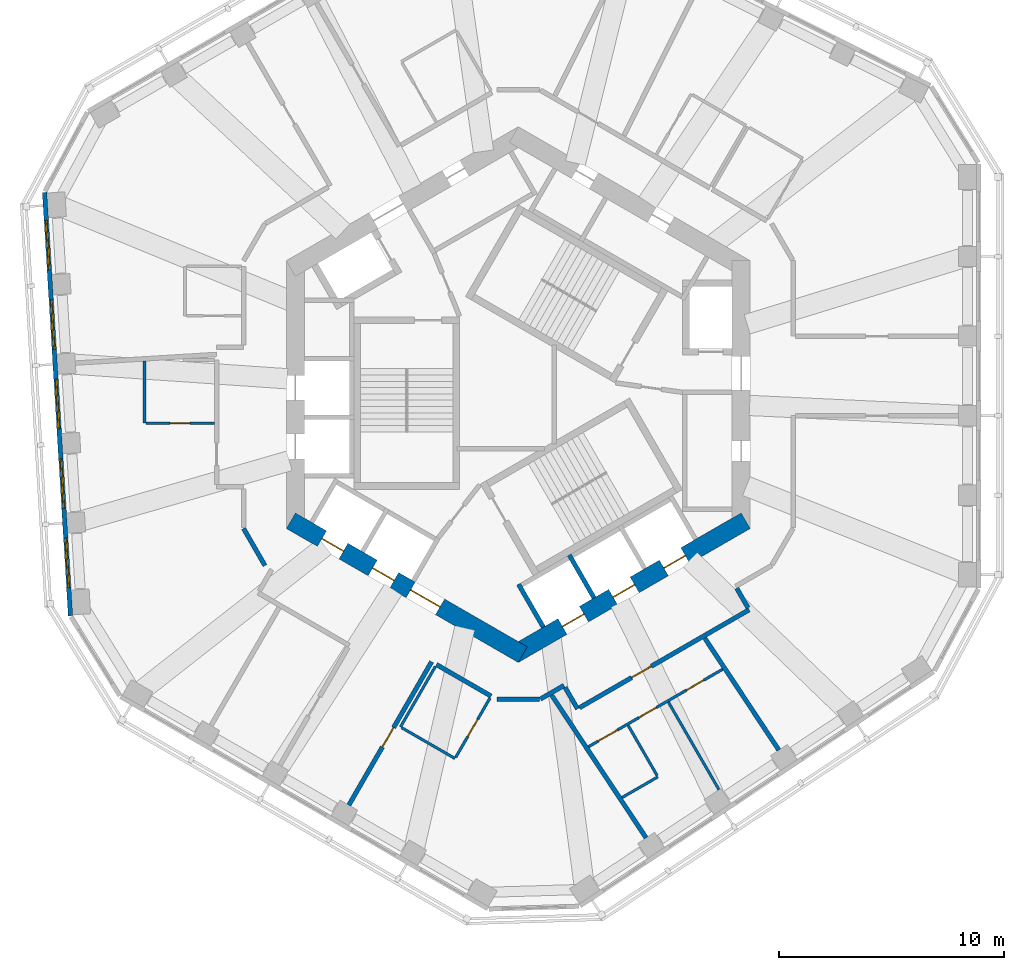
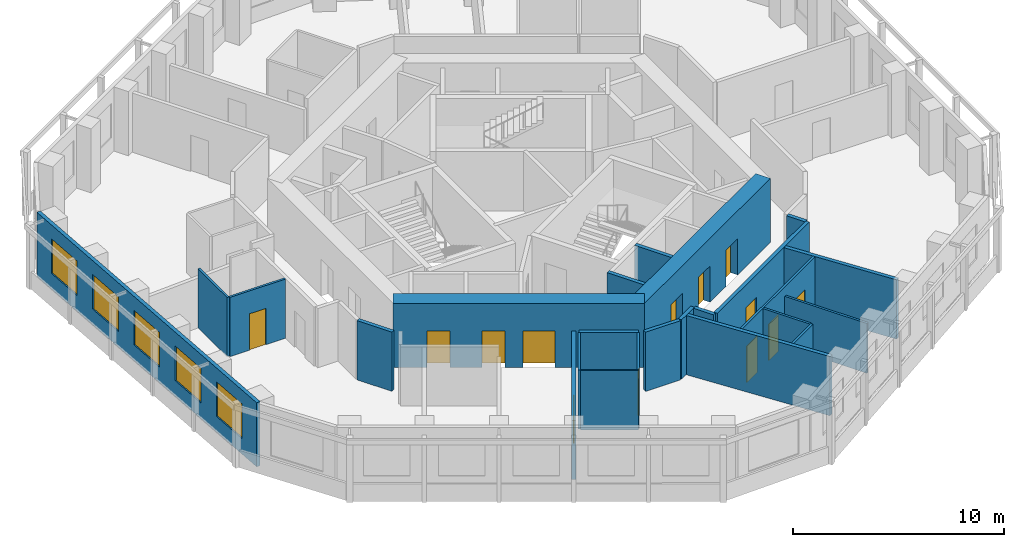
# One storey, part 4 of 11: 24 walls, 13 doors, 5 windows, 18 openings.
"""IFC4 building model written with IfcOpenShell, lengths in metres."""

from ifc_helpers import new_model, si_unit, direction, frame, frame_2d, origin, place, context, subcontext, project, spatial, rectangle, extrude, material, layer, layer_set, type_object, element, fill, save


model = new_model("IFC4")

# Units and contexts
model_context = context("Model", 3, precision=1e-05, world=origin(), true_north=direction((0.0, 1.0)))
body_context = subcontext(model_context, "Body", "Model", "MODEL_VIEW")
ifc_project = project(units=[si_unit("LENGTHUNIT", "METRE"), si_unit("AREAUNIT", "SQUARE_METRE"), si_unit("VOLUMEUNIT", "CUBIC_METRE"), si_unit("PLANEANGLEUNIT", "RADIAN"), si_unit("MASSUNIT", "GRAM", prefix="KILO")], contexts=[model_context])

# Site, building, storey
site_placement = place(None, origin())
site = spatial("IfcSite", under=ifc_project, at=site_placement, CompositionType="ELEMENT")
building_placement = place(site_placement, origin())
building = spatial("IfcBuilding", under=site, at=building_placement, Name="Vanh Sen Convention Tower", CompositionType="ELEMENT")
storey_placement = place(building_placement, frame((0.0, 0.0, 229.10009765625)))
storey = spatial("IfcBuildingStorey", under=building, at=storey_placement, Name="L56", CompositionType="ELEMENT", Elevation=229.10009765625)

# Wall
ifc_material_1 = material(Name="Moisture-resistant gypsum board on steel studs", Category="steel")
ifc_layer_1 = layer(ifc_material_1, 0.1201171875)
ifc_layer_set_1 = layer_set([ifc_layer_1], Name="Moisture-resistant gypsum board on steel studs")
wall_type_1 = type_object("IfcWallType", Name="Bathroom partition 120", PredefinedType="PARTITIONING", material=ifc_layer_set_1)
wall_1_placement = place(storey_placement, frame((-16.60107421875, -1.2666015625, 0.0), z_axis=(0.0, 0.0, 1.0), x_axis=(0.0, 1.0, 0.0)))
element("IfcWall", 1, at=wall_1_placement, inside=storey, type_object=wall_type_1, Name="Bathroom partition 120", PredefinedType="PARTITIONING", context=body_context, shape_type="SweptSolid", body=[
    extrude(rectangle(XDim=2.75, YDim=0.1201171875, at=frame_2d((1.375, 0.0))), origin(), (0.0, 0.0, 1.0), 3.419921875),
])

# Wall, opening, door
wall_2_placement = place(storey_placement, frame((-13.5009765625, -1.2666015625, 0.0), z_axis=(0.0, 0.0, 1.0), x_axis=(-1.0, 0.0, 0.0)))
wall_2 = element("IfcWall", 2, at=wall_2_placement, inside=storey, type_object=wall_type_1, Name="Bathroom partition 120", PredefinedType="PARTITIONING", context=body_context, shape_type="SweptSolid", body=[
    extrude(rectangle(XDim=3.0400390625, YDim=0.1201171875, at=frame_2d((1.52001953125, 0.0))), origin(), (0.0, 0.0, 1.0), 3.419921875),
])
opening_1_placement = place(wall_2_placement, frame((1.070068359375, 0.0, 0.0)))
opening_1 = element("IfcOpeningElement", 3, at=opening_1_placement, cuts=wall_2, Name="Opening D56110", PredefinedType="OPENING", context=body_context, shape_type="SweptSolid", body=[
    extrude(rectangle(XDim=0.89990234375, YDim=2.10009765625, at=frame_2d((0.449951171875, 1.050048828125))), frame((0.0, 0.070068359375, 0.0), z_axis=(0.0, -1.0, 0.0), x_axis=(1.0, 0.0, 0.0)), (0.0, 0.0, 1.0), 0.14013671875),
])
ifc_material_2 = material(Name="Laminate door in steel frame", Category="steel")
door_type_1 = type_object("IfcDoorType", Name="Room internal door 900", OperationType="SINGLE_SWING_LEFT", PredefinedType="DOOR", material=ifc_material_2)
door_1_placement = place(opening_1_placement, origin())
door_1 = element("IfcDoor", 4, at=door_1_placement, inside=storey, type_object=door_type_1, Name="Internal room door D56110", OperationType="SINGLE_SWING_LEFT", OverallHeight=2.10009765625, OverallWidth=0.89990234375, PredefinedType="DOOR", context=body_context, shape_type="SweptSolid", body=[
    extrude(rectangle(XDim=0.89990234375, YDim=2.10009765625, at=frame_2d((0.449951171875, 1.050048828125))), frame((0.0, 0.02490234375, 0.0), z_axis=(0.0, -1.0, 0.0), x_axis=(1.0, 0.0, 0.0)), (0.0, 0.0, 1.0), 0.050048828125),
])
fill(opening_1, door_1)

# Walls
wall_3_placement = place(storey_placement, frame((-5.2333984375, -14.7607421875, 0.0), z_axis=(0.0, 0.0, 1.0), x_axis=(0.499967891604, 0.866043940782, 0.0)))
element("IfcWall", 5, at=wall_3_placement, inside=storey, type_object=wall_type_1, Name="Bathroom partition 120", PredefinedType="PARTITIONING", context=body_context, shape_type="SweptSolid", body=[
    extrude(rectangle(XDim=3.099853515625, YDim=0.1201171875, at=frame_2d((1.5498046875, 0.0))), origin(), (0.0, 0.0, 1.0), 3.419921875),
])
wall_4_placement = place(storey_placement, frame((-2.80859375, -16.160888671875, 0.0), z_axis=(0.0, 0.0, 1.0), x_axis=(-0.865997131366, 0.500048966069, 0.0)))
element("IfcWall", 6, at=wall_4_placement, inside=storey, type_object=wall_type_1, Name="Bathroom partition 120", PredefinedType="PARTITIONING", context=body_context, shape_type="SweptSolid", body=[
    extrude(rectangle(XDim=2.739990234375, YDim=0.1201171875, at=frame_2d((1.3701171875, 0.0))), origin(), (0.0, 0.0, 1.0), 3.419921875),
])

# Wall, opening, door
wall_5_placement = place(storey_placement, frame((-1.258544921875, -13.476318359375, 0.0), z_axis=(0.0, 0.0, 1.0), x_axis=(-0.500026023896, -0.86601037836, 0.0)))
wall_5 = element("IfcWall", 7, at=wall_5_placement, inside=storey, type_object=wall_type_1, Name="Bathroom partition 120", PredefinedType="PARTITIONING", context=body_context, shape_type="SweptSolid", body=[
    extrude(rectangle(XDim=3.039794921875, YDim=0.1201171875, at=frame_2d((1.52001953125, 0.0))), origin(), (0.0, 0.0, 1.0), 3.419921875),
])
opening_2_placement = place(wall_5_placement, frame((1.06982421875, 0.0, 0.0)))
opening_2 = element("IfcOpeningElement", 8, at=opening_2_placement, cuts=wall_5, Name="Opening D56113", PredefinedType="OPENING", context=body_context, shape_type="SweptSolid", body=[
    extrude(rectangle(XDim=0.89990234375, YDim=2.10009765625, at=frame_2d((0.449951171875, 1.050048828125))), frame((0.0, 0.070068359375, 0.0), z_axis=(0.0, -1.0, 0.0), x_axis=(1.0, 0.0, 0.0)), (0.0, 0.0, 1.0), 0.14013671875),
])
door_2_placement = place(opening_2_placement, origin())
door_2 = element("IfcDoor", 9, at=door_2_placement, inside=storey, type_object=door_type_1, Name="Internal room door D56113", OperationType="SINGLE_SWING_LEFT", OverallHeight=2.10009765625, OverallWidth=0.89990234375, PredefinedType="DOOR", context=body_context, shape_type="SweptSolid", body=[
    extrude(rectangle(XDim=0.89990234375, YDim=2.10009765625, at=frame_2d((0.449951171875, 1.050048828125))), frame((0.0, 0.02490234375, 0.0), z_axis=(0.0, -1.0, 0.0), x_axis=(1.0, 0.0, 0.0)), (0.0, 0.0, 1.0), 0.050048828125),
])
fill(opening_2, door_2)

# Wall, openings, doors
wall_6_placement = place(storey_placement, frame((3.11669921875, -15.6376953125, 0.0), z_axis=(0.0, 0.0, 1.0), x_axis=(0.866031365477, 0.499989673903, 0.0)))
wall_6 = element("IfcWall", 10, at=wall_6_placement, inside=storey, type_object=wall_type_1, Name="Bathroom partition 120", PredefinedType="PARTITIONING", context=body_context, shape_type="SweptSolid", body=[
    extrude(rectangle(XDim=6.880615234375, YDim=0.1201171875, at=frame_2d((3.4404296875, 0.0))), origin(), (0.0, 0.0, 1.0), 3.419921875),
])
opening_3_placement = place(wall_6_placement, frame((0.5, 0.0, 0.0)))
opening_3 = element("IfcOpeningElement", 11, at=opening_3_placement, cuts=wall_6, Name="Opening D56115", PredefinedType="OPENING", context=body_context, shape_type="SweptSolid", body=[
    extrude(rectangle(XDim=1.0, YDim=2.10009765625, at=frame_2d((0.5, 1.050048828125))), frame((0.0, 0.070068359375, 0.0), z_axis=(0.0, -1.0, 0.0), x_axis=(1.0, 0.0, 0.0)), (0.0, 0.0, 1.0), 0.14013671875),
])
opening_4_placement = place(wall_6_placement, frame((2.58251953125, 0.0, 0.0)))
opening_4 = element("IfcOpeningElement", 12, at=opening_4_placement, cuts=wall_6, Name="Opening D56116", PredefinedType="OPENING", context=body_context, shape_type="SweptSolid", body=[
    extrude(rectangle(XDim=0.89990234375, YDim=2.10009765625, at=frame_2d((0.449951171875, 1.050048828125))), frame((0.0, 0.070068359375, 0.0), z_axis=(0.0, -1.0, 0.0), x_axis=(1.0, 0.0, 0.0)), (0.0, 0.0, 1.0), 0.14013671875),
])
opening_5_placement = place(wall_6_placement, frame((5.022705078125, 0.0, 0.0)))
opening_5 = element("IfcOpeningElement", 13, at=opening_5_placement, cuts=wall_6, Name="Opening D56117", PredefinedType="OPENING", context=body_context, shape_type="SweptSolid", body=[
    extrude(rectangle(XDim=0.89990234375, YDim=2.10009765625, at=frame_2d((0.449951171875, 1.050048828125))), frame((0.0, 0.070068359375, 0.0), z_axis=(0.0, -1.0, 0.0), x_axis=(1.0, 0.0, 0.0)), (0.0, 0.0, 1.0), 0.14013671875),
])
door_type_2 = type_object("IfcDoorType", Name="Accessible WC door 1000", OperationType="SINGLE_SWING_LEFT", PredefinedType="DOOR", material=ifc_material_2)
door_3_placement = place(opening_3_placement, origin())
door_3 = element("IfcDoor", 14, at=door_3_placement, inside=storey, type_object=door_type_2, Name="Accessible WC door D56115", OperationType="SINGLE_SWING_LEFT", OverallHeight=2.10009765625, OverallWidth=1.0, PredefinedType="DOOR", context=body_context, shape_type="SweptSolid", body=[
    extrude(rectangle(XDim=1.0, YDim=2.10009765625, at=frame_2d((0.5, 1.050048828125))), frame((0.0, 0.02490234375, 0.0), z_axis=(0.0, -1.0, 0.0), x_axis=(1.0, 0.0, 0.0)), (0.0, 0.0, 1.0), 0.050048828125),
])
fill(opening_3, door_3)
door_4_placement = place(opening_4_placement, origin())
door_4 = element("IfcDoor", 15, at=door_4_placement, inside=storey, type_object=door_type_1, Name="Internal room door D56116", OperationType="SINGLE_SWING_LEFT", OverallHeight=2.10009765625, OverallWidth=0.89990234375, PredefinedType="DOOR", context=body_context, shape_type="SweptSolid", body=[
    extrude(rectangle(XDim=0.89990234375, YDim=2.10009765625, at=frame_2d((0.449951171875, 1.050048828125))), frame((0.0, 0.02490234375, 0.0), z_axis=(0.0, -1.0, 0.0), x_axis=(1.0, 0.0, 0.0)), (0.0, 0.0, 1.0), 0.050048828125),
])
fill(opening_4, door_4)
door_5_placement = place(opening_5_placement, origin())
door_5 = element("IfcDoor", 16, at=door_5_placement, inside=storey, type_object=door_type_1, Name="Internal room door D56117", OperationType="SINGLE_SWING_LEFT", OverallHeight=2.10009765625, OverallWidth=0.89990234375, PredefinedType="DOOR", context=body_context, shape_type="SweptSolid", body=[
    extrude(rectangle(XDim=0.89990234375, YDim=2.10009765625, at=frame_2d((0.449951171875, 1.050048828125))), frame((0.0, 0.02490234375, 0.0), z_axis=(0.0, -1.0, 0.0), x_axis=(1.0, 0.0, 0.0)), (0.0, 0.0, 1.0), 0.050048828125),
])
fill(opening_5, door_5)

# Walls
wall_7_placement = place(storey_placement, frame((4.60986328125, -17.893310546875, 0.0), z_axis=(0.0, 0.0, 1.0), x_axis=(0.866023842607, 0.500002704028, 0.0)))
element("IfcWall", 17, at=wall_7_placement, inside=storey, type_object=wall_type_1, Name="Bathroom partition 120", PredefinedType="PARTITIONING", context=body_context, shape_type="SweptSolid", body=[
    extrude(rectangle(XDim=1.8349609375, YDim=0.1201171875, at=frame_2d((0.91748046875, 0.0))), origin(), (0.0, 0.0, 1.0), 3.419921875),
])
wall_8_placement = place(storey_placement, frame((6.1689453125, -16.923828125, 0.0), z_axis=(0.0, 0.0, 1.0), x_axis=(-0.500047388771, 0.865998042136, 0.0)))
element("IfcWall", 18, at=wall_8_placement, inside=storey, type_object=wall_type_1, Name="Bathroom partition 120", PredefinedType="PARTITIONING", context=body_context, shape_type="SweptSolid", body=[
    extrude(rectangle(XDim=2.579833984375, YDim=0.1201171875, at=frame_2d((1.2900390625, 0.0))), origin(), (0.0, 0.0, 1.0), 3.419921875),
])
wall_9_placement = place(storey_placement, frame((8.912353515625, -17.54541015625, 0.0), z_axis=(0.0, 0.0, 1.0), x_axis=(-0.500022113525, 0.866012636158, 0.0)))
element("IfcWall", 19, at=wall_9_placement, inside=storey, type_object=wall_type_1, Name="Bathroom partition 120", PredefinedType="PARTITIONING", context=body_context, shape_type="SweptSolid", body=[
    extrude(rectangle(XDim=4.489990234375, YDim=0.1201171875, at=frame_2d((2.2451171875, 0.0))), origin(), (0.0, 0.0, 1.0), 2.869873046875),
])

# Wall, openings, doors
ifc_material_3 = material(Name="Concrete C60/75", Category="concrete")
ifc_layer_2 = layer(ifc_material_3, 0.800048828125)
ifc_layer_set_2 = layer_set([ifc_layer_2], Name="Concrete C60/75")
wall_type_2 = type_object("IfcWallType", Name="Core outer wall 800 C60/75", PredefinedType="SHEAR", material=ifc_layer_set_2)
wall_10_placement = place(storey_placement, frame((-10.10009765625, -5.600341796875, 0.0), z_axis=(0.0, 0.0, 1.0), x_axis=(0.866023897231, -0.500002609418, 0.0)))
wall_10 = element("IfcWall", 20, at=wall_10_placement, inside=storey, type_object=wall_type_2, Name="Core wall face SW L56", PredefinedType="SHEAR", context=body_context, shape_type="SweptSolid", body=[
    extrude(rectangle(XDim=11.8935546875, YDim=0.800048828125, at=frame_2d((5.94677734375, 0.0))), origin(), (0.0, 0.0, 1.0), 3.699951171875),
])
opening_6_placement = place(wall_10_placement, frame((6.146728515625, 0.0, 0.0)))
opening_6 = element("IfcOpeningElement", 21, at=opening_6_placement, cuts=wall_10, Name="Opening D56003", PredefinedType="OPENING", context=body_context, shape_type="SweptSolid", body=[
    extrude(rectangle(XDim=1.5, YDim=2.10009765625, at=frame_2d((0.75, 1.050048828125))), frame((0.0, 0.409912109375, 0.0), z_axis=(0.0, -1.0, 0.0), x_axis=(1.0, 0.0, 0.0)), (0.0, 0.0, 1.0), 0.820068359375),
])
opening_7_placement = place(wall_10_placement, frame((1.5966796875, 0.0, 0.0)))
opening_7 = element("IfcOpeningElement", 22, at=opening_7_placement, cuts=wall_10, Name="Opening LD-HR3", PredefinedType="OPENING", context=body_context, shape_type="SweptSolid", body=[
    extrude(rectangle(XDim=1.10009765625, YDim=2.10009765625, at=frame_2d((0.550048828125, 1.050048828125))), frame((0.0, 0.409912109375, 0.0), z_axis=(0.0, -1.0, 0.0), x_axis=(1.0, 0.0, 0.0)), (0.0, 0.0, 1.0), 0.820068359375),
])
opening_8_placement = place(wall_10_placement, frame((4.19677734375, 0.0, 0.0)))
opening_8 = element("IfcOpeningElement", 23, at=opening_8_placement, cuts=wall_10, Name="Opening LD-HR4", PredefinedType="OPENING", context=body_context, shape_type="SweptSolid", body=[
    extrude(rectangle(XDim=1.10009765625, YDim=2.10009765625, at=frame_2d((0.550048828125, 1.050048828125))), frame((0.0, 0.409912109375, 0.0), z_axis=(0.0, -1.0, 0.0), x_axis=(1.0, 0.0, 0.0)), (0.0, 0.0, 1.0), 0.820068359375),
])
ifc_material_4 = material(Name="Stainless steel", Category="steel")
door_type_3 = type_object("IfcDoorType", Name="Lift landing door 1100", OperationType="DOUBLE_DOOR_SLIDING", PredefinedType="DOOR", material=ifc_material_4)
door_6_placement = place(opening_7_placement, origin())
door_6 = element("IfcDoor", 24, at=door_6_placement, inside=storey, type_object=door_type_3, Name="Lift HR3 landing door LD-HR3", OperationType="DOUBLE_DOOR_SLIDING", OverallHeight=2.10009765625, OverallWidth=1.10009765625, PredefinedType="DOOR", context=body_context, shape_type="SweptSolid", body=[
    extrude(rectangle(XDim=1.10009765625, YDim=2.10009765625, at=frame_2d((0.550048828125, 1.050048828125))), frame((0.0, 0.02490234375, 0.0), z_axis=(0.0, -1.0, 0.0), x_axis=(1.0, 0.0, 0.0)), (0.0, 0.0, 1.0), 0.050048828125),
])
fill(opening_7, door_6)
door_7_placement = place(opening_8_placement, origin())
door_7 = element("IfcDoor", 25, at=door_7_placement, inside=storey, type_object=door_type_3, Name="Lift HR4 landing door LD-HR4", OperationType="DOUBLE_DOOR_SLIDING", OverallHeight=2.10009765625, OverallWidth=1.10009765625, PredefinedType="DOOR", context=body_context, shape_type="SweptSolid", body=[
    extrude(rectangle(XDim=1.10009765625, YDim=2.10009765625, at=frame_2d((0.550048828125, 1.050048828125))), frame((0.0, 0.02490234375, 0.0), z_axis=(0.0, -1.0, 0.0), x_axis=(1.0, 0.0, 0.0)), (0.0, 0.0, 1.0), 0.050048828125),
])
fill(opening_8, door_7)
ifc_material_5 = material(Name="Steel S355", Category="steel")
door_type_4 = type_object("IfcDoorType", Name="Stair lobby door 1500", OperationType="DOUBLE_DOOR_SINGLE_SWING", PredefinedType="DOOR", material=ifc_material_5)
door_8_placement = place(opening_6_placement, origin())
door_8 = element("IfcDoor", 26, at=door_8_placement, inside=storey, type_object=door_type_4, Name="Stair lobby door D56003", OperationType="DOUBLE_DOOR_SINGLE_SWING", OverallHeight=2.10009765625, OverallWidth=1.5, PredefinedType="DOOR", context=body_context, shape_type="SweptSolid", body=[
    extrude(rectangle(XDim=1.5, YDim=2.10009765625, at=frame_2d((0.75, 1.050048828125))), frame((0.0, 0.02490234375, 0.0), z_axis=(0.0, -1.0, 0.0), x_axis=(1.0, 0.0, 0.0)), (0.0, 0.0, 1.0), 0.050048828125),
])
fill(opening_6, door_8)

wall_11_placement = place(storey_placement, frame((-0.199951171875, -11.547119140625, 0.0), z_axis=(0.0, 0.0, 1.0), x_axis=(0.866023897231, 0.500002609418, 0.0)))
wall_11 = element("IfcWall", 27, at=wall_11_placement, inside=storey, type_object=wall_type_2, Name="Core wall face SE L56", PredefinedType="SHEAR", context=body_context, shape_type="SweptSolid", body=[
    extrude(rectangle(XDim=11.8935546875, YDim=0.800048828125, at=frame_2d((5.94677734375, 0.0))), origin(), (0.0, 0.0, 1.0), 3.699951171875),
])
opening_9_placement = place(wall_11_placement, frame((2.49658203125, 0.0, 0.0)))
opening_9 = element("IfcOpeningElement", 28, at=opening_9_placement, cuts=wall_11, Name="Opening LD-HR5", PredefinedType="OPENING", context=body_context, shape_type="SweptSolid", body=[
    extrude(rectangle(XDim=1.10009765625, YDim=2.10009765625, at=frame_2d((0.550048828125, 1.050048828125))), frame((0.0, 0.409912109375, 0.0), z_axis=(0.0, -1.0, 0.0), x_axis=(1.0, 0.0, 0.0)), (0.0, 0.0, 1.0), 0.820068359375),
])
opening_10_placement = place(wall_11_placement, frame((5.0966796875, 0.0, 0.0)))
opening_10 = element("IfcOpeningElement", 29, at=opening_10_placement, cuts=wall_11, Name="Opening LD-HR6", PredefinedType="OPENING", context=body_context, shape_type="SweptSolid", body=[
    extrude(rectangle(XDim=1.10009765625, YDim=2.10009765625, at=frame_2d((0.550048828125, 1.050048828125))), frame((0.0, 0.409912109375, 0.0), z_axis=(0.0, -1.0, 0.0), x_axis=(1.0, 0.0, 0.0)), (0.0, 0.0, 1.0), 0.820068359375),
])
opening_11_placement = place(wall_11_placement, frame((7.69677734375, 0.0, 0.0)))
opening_11 = element("IfcOpeningElement", 30, at=opening_11_placement, cuts=wall_11, Name="Opening LD-SV1", PredefinedType="OPENING", context=body_context, shape_type="SweptSolid", body=[
    extrude(rectangle(XDim=1.10009765625, YDim=2.10009765625, at=frame_2d((0.550048828125, 1.050048828125))), frame((0.0, 0.409912109375, 0.0), z_axis=(0.0, -1.0, 0.0), x_axis=(1.0, 0.0, 0.0)), (0.0, 0.0, 1.0), 0.820068359375),
])
door_9_placement = place(opening_9_placement, origin())
door_9 = element("IfcDoor", 31, at=door_9_placement, inside=storey, type_object=door_type_3, Name="Lift HR5 landing door LD-HR5", OperationType="DOUBLE_DOOR_SLIDING", OverallHeight=2.10009765625, OverallWidth=1.10009765625, PredefinedType="DOOR", context=body_context, shape_type="SweptSolid", body=[
    extrude(rectangle(XDim=1.10009765625, YDim=2.10009765625, at=frame_2d((0.550048828125, 1.050048828125))), frame((0.0, 0.02490234375, 0.0), z_axis=(0.0, -1.0, 0.0), x_axis=(1.0, 0.0, 0.0)), (0.0, 0.0, 1.0), 0.050048828125),
])
fill(opening_9, door_9)
door_10_placement = place(opening_10_placement, origin())
door_10 = element("IfcDoor", 32, at=door_10_placement, inside=storey, type_object=door_type_3, Name="Lift HR6 landing door LD-HR6", OperationType="DOUBLE_DOOR_SLIDING", OverallHeight=2.10009765625, OverallWidth=1.10009765625, PredefinedType="DOOR", context=body_context, shape_type="SweptSolid", body=[
    extrude(rectangle(XDim=1.10009765625, YDim=2.10009765625, at=frame_2d((0.550048828125, 1.050048828125))), frame((0.0, 0.02490234375, 0.0), z_axis=(0.0, -1.0, 0.0), x_axis=(1.0, 0.0, 0.0)), (0.0, 0.0, 1.0), 0.050048828125),
])
fill(opening_10, door_10)
door_11_placement = place(opening_11_placement, origin())
door_11 = element("IfcDoor", 33, at=door_11_placement, inside=storey, type_object=door_type_3, Name="Lift SV1 landing door LD-SV1", OperationType="DOUBLE_DOOR_SLIDING", OverallHeight=2.10009765625, OverallWidth=1.10009765625, PredefinedType="DOOR", context=body_context, shape_type="SweptSolid", body=[
    extrude(rectangle(XDim=1.10009765625, YDim=2.10009765625, at=frame_2d((0.550048828125, 1.050048828125))), frame((0.0, 0.02490234375, 0.0), z_axis=(0.0, -1.0, 0.0), x_axis=(1.0, 0.0, 0.0)), (0.0, 0.0, 1.0), 0.050048828125),
])
fill(opening_11, door_11)

# Wall
ifc_material_6 = material(Name="Gypsum board on steel studs with mineral wool", Category="steel")
ifc_layer_3 = layer(ifc_material_6, 0.199951171875)
ifc_layer_set_3 = layer_set([ifc_layer_3], Name="Gypsum board on steel studs with mineral wool")
wall_type_3 = type_object("IfcWallType", Name="Corridor partition wall 200", PredefinedType="PARTITIONING", material=ifc_layer_set_3)
wall_12_placement = place(storey_placement, frame((-12.199951171875, -5.94677734375, 0.0), z_axis=(0.0, 0.0, 1.0), x_axis=(0.500022797313, -0.86601224135, 0.0)))
element("IfcWall", 34, at=wall_12_placement, inside=storey, type_object=wall_type_3, Name="Corridor partition wall 200", PredefinedType="PARTITIONING", context=body_context, shape_type="SweptSolid", body=[
    extrude(rectangle(XDim=1.89990234375, YDim=0.199951171875, at=frame_2d((0.949951171875, 0.0))), origin(), (0.0, 0.0, 1.0), 3.419921875),
])

# Wall, opening, door
wall_13_placement = place(storey_placement, frame((-7.52490234375, -18.229736328125, 0.0), z_axis=(0.0, 0.0, 1.0), x_axis=(0.499983153418, 0.866035129944, 0.0)))
wall_13 = element("IfcWall", 35, at=wall_13_placement, inside=storey, type_object=wall_type_3, Name="Corridor partition wall 200", PredefinedType="PARTITIONING", context=body_context, shape_type="SweptSolid", body=[
    extrude(rectangle(XDim=7.349853515625, YDim=0.199951171875, at=frame_2d((3.6748046875, 0.0))), origin(), (0.0, 0.0, 1.0), 3.419921875),
])
opening_12_placement = place(wall_13_placement, frame((2.97509765625, 0.0, 0.0)))
opening_12 = element("IfcOpeningElement", 36, at=opening_12_placement, cuts=wall_13, Name="Opening D56112", PredefinedType="OPENING", context=body_context, shape_type="SweptSolid", body=[
    extrude(rectangle(XDim=1.0, YDim=2.10009765625, at=frame_2d((0.5, 1.050048828125))), frame((0.0, 0.10986328125, 0.0), z_axis=(0.0, -1.0, 0.0), x_axis=(1.0, 0.0, 0.0)), (0.0, 0.0, 1.0), 0.219970703125),
])
ifc_material_7 = material(Name="Glazed fire door in steel frame", Category="steel")
door_type_5 = type_object("IfcDoorType", Name="Tenant entrance door 1000", OperationType="SINGLE_SWING_LEFT", PredefinedType="DOOR", material=ifc_material_7)
door_12_placement = place(opening_12_placement, origin())
door_12 = element("IfcDoor", 37, at=door_12_placement, inside=storey, type_object=door_type_5, Name="Tenant suite entrance door D56112", OperationType="SINGLE_SWING_LEFT", OverallHeight=2.10009765625, OverallWidth=1.0, PredefinedType="DOOR", context=body_context, shape_type="SweptSolid", body=[
    extrude(rectangle(XDim=1.0, YDim=2.10009765625, at=frame_2d((0.5, 1.050048828125))), frame((0.0, 0.02490234375, 0.0), z_axis=(0.0, -1.0, 0.0), x_axis=(1.0, 0.0, 0.0)), (0.0, 0.0, 1.0), 0.050048828125),
])
fill(opening_12, door_12)

# Walls
wall_14_placement = place(storey_placement, frame((-3.633544921875, -11.989501953125, 0.0), z_axis=(0.0, 0.0, 1.0), x_axis=(0.866018616679, -0.500011755427, 0.0)))
element("IfcWall", 38, at=wall_14_placement, inside=storey, type_object=wall_type_3, Name="Corridor partition wall 200", PredefinedType="PARTITIONING", context=body_context, shape_type="SweptSolid", body=[
    extrude(rectangle(XDim=2.80029296875, YDim=0.199951171875, at=frame_2d((1.400146484375, 0.0))), origin(), (0.0, 0.0, 1.0), 3.419921875),
])
wall_15_placement = place(storey_placement, frame((-0.949951171875, -13.538818359375, 0.0), z_axis=(0.0, 0.0, 1.0), x_axis=(1.0, 0.0, 0.0)))
element("IfcWall", 39, at=wall_15_placement, inside=storey, type_object=wall_type_3, Name="Corridor partition wall 200", PredefinedType="PARTITIONING", context=body_context, shape_type="SweptSolid", body=[
    extrude(rectangle(XDim=1.89990234375, YDim=0.199951171875, at=frame_2d((0.949951171875, 0.0))), origin(), (0.0, 0.0, 1.0), 3.419921875),
])
wall_16_placement = place(storey_placement, frame((0.984619140625, -13.518798828125, 0.0), z_axis=(0.0, 0.0, 1.0), x_axis=(0.866054082991, 0.499950322867, 0.0)))
element("IfcWall", 40, at=wall_16_placement, inside=storey, type_object=wall_type_3, Name="Corridor partition wall 200", PredefinedType="PARTITIONING", context=body_context, shape_type="SweptSolid", body=[
    extrude(rectangle(XDim=1.20556640625, YDim=0.199951171875, at=frame_2d((0.602783203125, 0.0))), origin(), (0.0, 0.0, 1.0), 3.419921875),
])
wall_17_placement = place(storey_placement, frame((2.078857421875, -13.002685546875, 0.0), z_axis=(0.0, 0.0, 1.0), x_axis=(0.500074377092, -0.865982457891, 0.0)))
element("IfcWall", 41, at=wall_17_placement, inside=storey, type_object=wall_type_3, Name="Corridor partition wall 200", PredefinedType="PARTITIONING", context=body_context, shape_type="SweptSolid", body=[
    extrude(rectangle(XDim=1.100830078125, YDim=0.199951171875, at=frame_2d((0.55029296875, 0.0))), origin(), (0.0, 0.0, 1.0), 3.419921875),
])

# Wall, opening, door
wall_18_placement = place(storey_placement, frame((2.7158203125, -13.906005859375, 0.0), z_axis=(0.0, 0.0, 1.0), x_axis=(0.866040290674, 0.499974214264, 0.0)))
wall_18 = element("IfcWall", 42, at=wall_18_placement, inside=storey, type_object=wall_type_3, Name="Corridor partition wall 200", PredefinedType="PARTITIONING", context=body_context, shape_type="SweptSolid", body=[
    extrude(rectangle(XDim=8.7021484375, YDim=0.199951171875, at=frame_2d((4.35107421875, 0.0))), origin(), (0.0, 0.0, 1.0), 3.419921875),
])
opening_13_placement = place(wall_18_placement, frame((2.678955078125, 0.0, 0.0)))
opening_13 = element("IfcOpeningElement", 43, at=opening_13_placement, cuts=wall_18, Name="Opening D56114", PredefinedType="OPENING", context=body_context, shape_type="SweptSolid", body=[
    extrude(rectangle(XDim=1.0, YDim=2.10009765625, at=frame_2d((0.5, 1.050048828125))), frame((0.0, 0.10986328125, 0.0), z_axis=(0.0, -1.0, 0.0), x_axis=(1.0, 0.0, 0.0)), (0.0, 0.0, 1.0), 0.219970703125),
])
ifc_material_8 = material(Name="Timber fire door in steel frame", Category="steel")
door_type_6 = type_object("IfcDoorType", Name="Floor room door 1000", OperationType="SINGLE_SWING_LEFT", PredefinedType="DOOR", material=ifc_material_8)
door_13_placement = place(opening_13_placement, origin())
door_13 = element("IfcDoor", 44, at=door_13_placement, inside=storey, type_object=door_type_6, Name="Meeting and amenity room door D56114", OperationType="SINGLE_SWING_LEFT", OverallHeight=2.10009765625, OverallWidth=1.0, PredefinedType="DOOR", context=body_context, shape_type="SweptSolid", body=[
    extrude(rectangle(XDim=1.0, YDim=2.10009765625, at=frame_2d((0.5, 1.050048828125))), frame((0.0, 0.02490234375, 0.0), z_axis=(0.0, -1.0, 0.0), x_axis=(1.0, 0.0, 0.0)), (0.0, 0.0, 1.0), 0.050048828125),
])
fill(opening_13, door_13)

# Wall
wall_19_placement = place(storey_placement, frame((10.2021484375, -9.468505859375, 0.0), z_axis=(0.0, 0.0, 1.0), x_axis=(-0.499968756647, 0.866043441391, 0.0)))
element("IfcWall", 45, at=wall_19_placement, inside=storey, type_object=wall_type_3, Name="Corridor partition wall 200", PredefinedType="PARTITIONING", context=body_context, shape_type="SweptSolid", body=[
    extrude(rectangle(XDim=1.0009765625, YDim=0.199951171875, at=frame_2d((0.50048828125, 0.0))), origin(), (0.0, 0.0, 1.0), 3.419921875),
])

# Wall, openings, windows
ifc_material_9 = material(Name="Insulated lightweight infill wall")
ifc_layer_4 = layer(ifc_material_9, 0.199951171875)
ifc_layer_set_4 = layer_set([ifc_layer_4], Name="Insulated lightweight infill wall")
wall_type_4 = type_object("IfcWallType", Name="External wall 200", PredefinedType="STANDARD", material=ifc_layer_set_4)
wall_20_placement = place(storey_placement, frame((-21.03759765625, 8.983642578125, 0.0), z_axis=(0.0, 0.0, 1.0), x_axis=(0.061043935634, -0.998135079998, 0.0)))
wall_20 = element("IfcWall", 46, at=wall_20_placement, inside=storey, type_object=wall_type_4, Name="External wall W L56", PredefinedType="STANDARD", context=body_context, shape_type="SweptSolid", body=[
    extrude(rectangle(XDim=18.84130859375, YDim=0.199951171875, at=frame_2d((9.420654296875, 0.0))), origin(), (0.0, 0.0, 1.0), 3.699951171875),
])
opening_14_placement = place(wall_20_placement, frame((1.252685546875, 0.0, 0.89990234375)))
opening_14 = element("IfcOpeningElement", 47, at=opening_14_placement, cuts=wall_20, Name="Opening WO3-W1", PredefinedType="OPENING", context=body_context, shape_type="SweptSolid", body=[
    extrude(rectangle(XDim=2.199951171875, YDim=2.0, at=frame_2d((1.10009765625, 1.0))), frame((0.0, 0.10986328125, 0.0), z_axis=(0.0, -1.0, 0.0), x_axis=(1.0, 0.0, 0.0)), (0.0, 0.0, 1.0), 0.219970703125),
])
opening_15_placement = place(wall_20_placement, frame((4.7861328125, 0.0, 0.89990234375)))
opening_15 = element("IfcOpeningElement", 48, at=opening_15_placement, cuts=wall_20, Name="Opening WO3-W2", PredefinedType="OPENING", context=body_context, shape_type="SweptSolid", body=[
    extrude(rectangle(XDim=2.199951171875, YDim=2.0, at=frame_2d((1.10009765625, 1.0))), frame((0.0, 0.10986328125, 0.0), z_axis=(0.0, -1.0, 0.0), x_axis=(1.0, 0.0, 0.0)), (0.0, 0.0, 1.0), 0.219970703125),
])
opening_16_placement = place(wall_20_placement, frame((8.31982421875, 0.0, 0.89990234375)))
opening_16 = element("IfcOpeningElement", 49, at=opening_16_placement, cuts=wall_20, Name="Opening WO3-W3", PredefinedType="OPENING", context=body_context, shape_type="SweptSolid", body=[
    extrude(rectangle(XDim=2.199951171875, YDim=2.0, at=frame_2d((1.10009765625, 1.0))), frame((0.0, 0.10986328125, 0.0), z_axis=(0.0, -1.0, 0.0), x_axis=(1.0, 0.0, 0.0)), (0.0, 0.0, 1.0), 0.219970703125),
])
opening_17_placement = place(wall_20_placement, frame((11.853515625, 0.0, 0.89990234375)))
opening_17 = element("IfcOpeningElement", 50, at=opening_17_placement, cuts=wall_20, Name="Opening WO3-W4", PredefinedType="OPENING", context=body_context, shape_type="SweptSolid", body=[
    extrude(rectangle(XDim=2.199951171875, YDim=2.0, at=frame_2d((1.10009765625, 1.0))), frame((0.0, 0.10986328125, 0.0), z_axis=(0.0, -1.0, 0.0), x_axis=(1.0, 0.0, 0.0)), (0.0, 0.0, 1.0), 0.219970703125),
])
opening_18_placement = place(wall_20_placement, frame((15.38720703125, 0.0, 0.89990234375)))
opening_18 = element("IfcOpeningElement", 51, at=opening_18_placement, cuts=wall_20, Name="Opening WO3-W5", PredefinedType="OPENING", context=body_context, shape_type="SweptSolid", body=[
    extrude(rectangle(XDim=2.199951171875, YDim=2.0, at=frame_2d((1.10009765625, 1.0))), frame((0.0, 0.10986328125, 0.0), z_axis=(0.0, -1.0, 0.0), x_axis=(1.0, 0.0, 0.0)), (0.0, 0.0, 1.0), 0.219970703125),
])
ifc_material_10 = material(Name="Aluminium frame with clear low-emissivity glass", Category="aluminium")
window_type = type_object("IfcWindowType", Name="Office window 2200 x 2000", PartitioningType="SINGLE_PANEL", PredefinedType="WINDOW", material=ifc_material_10)
window_1_placement = place(opening_14_placement, origin())
window_1 = element("IfcWindow", 52, at=window_1_placement, inside=storey, type_object=window_type, Name="Window WO3-W1", OverallHeight=2.0, OverallWidth=2.199951171875, PartitioningType="SINGLE_PANEL", PredefinedType="WINDOW", context=body_context, shape_type="SweptSolid", body=[
    extrude(rectangle(XDim=2.199951171875, YDim=2.0, at=frame_2d((1.10009765625, 1.0))), frame((0.0, 0.030029296875, 0.0), z_axis=(0.0, -1.0, 0.0), x_axis=(1.0, 0.0, 0.0)), (0.0, 0.0, 1.0), 0.06005859375),
])
fill(opening_14, window_1)
window_2_placement = place(opening_15_placement, origin())
window_2 = element("IfcWindow", 53, at=window_2_placement, inside=storey, type_object=window_type, Name="Window WO3-W2", OverallHeight=2.0, OverallWidth=2.199951171875, PartitioningType="SINGLE_PANEL", PredefinedType="WINDOW", context=body_context, shape_type="SweptSolid", body=[
    extrude(rectangle(XDim=2.199951171875, YDim=2.0, at=frame_2d((1.10009765625, 1.0))), frame((0.0, 0.030029296875, 0.0), z_axis=(0.0, -1.0, 0.0), x_axis=(1.0, 0.0, 0.0)), (0.0, 0.0, 1.0), 0.06005859375),
])
fill(opening_15, window_2)
window_3_placement = place(opening_16_placement, origin())
window_3 = element("IfcWindow", 54, at=window_3_placement, inside=storey, type_object=window_type, Name="Window WO3-W3", OverallHeight=2.0, OverallWidth=2.199951171875, PartitioningType="SINGLE_PANEL", PredefinedType="WINDOW", context=body_context, shape_type="SweptSolid", body=[
    extrude(rectangle(XDim=2.199951171875, YDim=2.0, at=frame_2d((1.10009765625, 1.0))), frame((0.0, 0.030029296875, 0.0), z_axis=(0.0, -1.0, 0.0), x_axis=(1.0, 0.0, 0.0)), (0.0, 0.0, 1.0), 0.06005859375),
])
fill(opening_16, window_3)
window_4_placement = place(opening_17_placement, origin())
window_4 = element("IfcWindow", 55, at=window_4_placement, inside=storey, type_object=window_type, Name="Window WO3-W4", OverallHeight=2.0, OverallWidth=2.199951171875, PartitioningType="SINGLE_PANEL", PredefinedType="WINDOW", context=body_context, shape_type="SweptSolid", body=[
    extrude(rectangle(XDim=2.199951171875, YDim=2.0, at=frame_2d((1.10009765625, 1.0))), frame((0.0, 0.030029296875, 0.0), z_axis=(0.0, -1.0, 0.0), x_axis=(1.0, 0.0, 0.0)), (0.0, 0.0, 1.0), 0.06005859375),
])
fill(opening_17, window_4)
window_5_placement = place(opening_18_placement, origin())
window_5 = element("IfcWindow", 56, at=window_5_placement, inside=storey, type_object=window_type, Name="Window WO3-W5", OverallHeight=2.0, OverallWidth=2.199951171875, PartitioningType="SINGLE_PANEL", PredefinedType="WINDOW", context=body_context, shape_type="SweptSolid", body=[
    extrude(rectangle(XDim=2.199951171875, YDim=2.0, at=frame_2d((1.10009765625, 1.0))), frame((0.0, 0.030029296875, 0.0), z_axis=(0.0, -1.0, 0.0), x_axis=(1.0, 0.0, 0.0)), (0.0, 0.0, 1.0), 0.06005859375),
])
fill(opening_18, window_5)

# Walls
ifc_material_11 = material(Name="Concrete C40/50", Category="concrete")
ifc_layer_5 = layer(ifc_material_11, 0.199951171875)
ifc_layer_set_5 = layer_set([ifc_layer_5], Name="Concrete C40/50")
wall_type_5 = type_object("IfcWallType", Name="Lift shaft wall 200", PredefinedType="PARTITIONING", material=ifc_layer_set_5)
for number, where, z_axis, x_axis, name in (
    (57, (0.0126953125, -8.422119140625, 0.0), (0.0, 0.0, 1.0), (0.500077893725, -0.86598042715, 0.0), "Lift shaft wall L56"),
    (58, (2.264404296875, -7.1220703125, 0.0), (0.0, 0.0, 1.0), (0.500077893725, -0.86598042715, 0.0), "Lift shaft wall L56"),
):
    element("IfcWall", number, at=place(storey_placement, frame(where, z_axis=z_axis, x_axis=x_axis)), inside=storey, type_object=wall_type_5, Name=name, PredefinedType="PARTITIONING", context=body_context, shape_type="SweptSolid", body=[
        extrude(rectangle(XDim=2.199951171875, YDim=0.199951171875, at=frame_2d((1.10009765625, 0.0))), origin(), (0.0, 0.0, 1.0), 3.419921875),
    ])
ifc_layer_6 = layer(ifc_material_6, 0.199951171875)
ifc_layer_set_6 = layer_set([ifc_layer_6], Name="Gypsum board on steel studs with mineral wool")
wall_type_6 = type_object("IfcWallType", Name="Tenant suite wall 200", PredefinedType="PARTITIONING", material=ifc_layer_set_6)
wall_21_placement = place(storey_placement, frame((5.67724609375, -19.686767578125, 0.0), z_axis=(0.0, 0.0, 1.0), x_axis=(-0.551936619203, 0.833886064389, 0.0)))
element("IfcWall", 59, at=wall_21_placement, inside=storey, type_object=wall_type_6, Name="Tenant suite wall 200", PredefinedType="PARTITIONING", context=body_context, shape_type="SweptSolid", body=[
    extrude(rectangle(XDim=7.59228515625, YDim=0.199951171875, at=frame_2d((3.796142578125, 0.0))), origin(), (0.0, 0.0, 1.0), 3.419921875),
])
wall_22_placement = place(storey_placement, frame((11.570556640625, -15.7861328125, 0.0), z_axis=(0.0, 0.0, 1.0), x_axis=(-0.551944861763, 0.833880608705, 0.0)))
element("IfcWall", 60, at=wall_22_placement, inside=storey, type_object=wall_type_6, Name="Tenant suite wall 200", PredefinedType="PARTITIONING", context=body_context, shape_type="SweptSolid", body=[
    extrude(rectangle(XDim=5.956787109375, YDim=0.199951171875, at=frame_2d((2.978515625, 0.0))), origin(), (0.0, 0.0, 1.0), 3.419921875),
])

save(model, "model.ifc")
